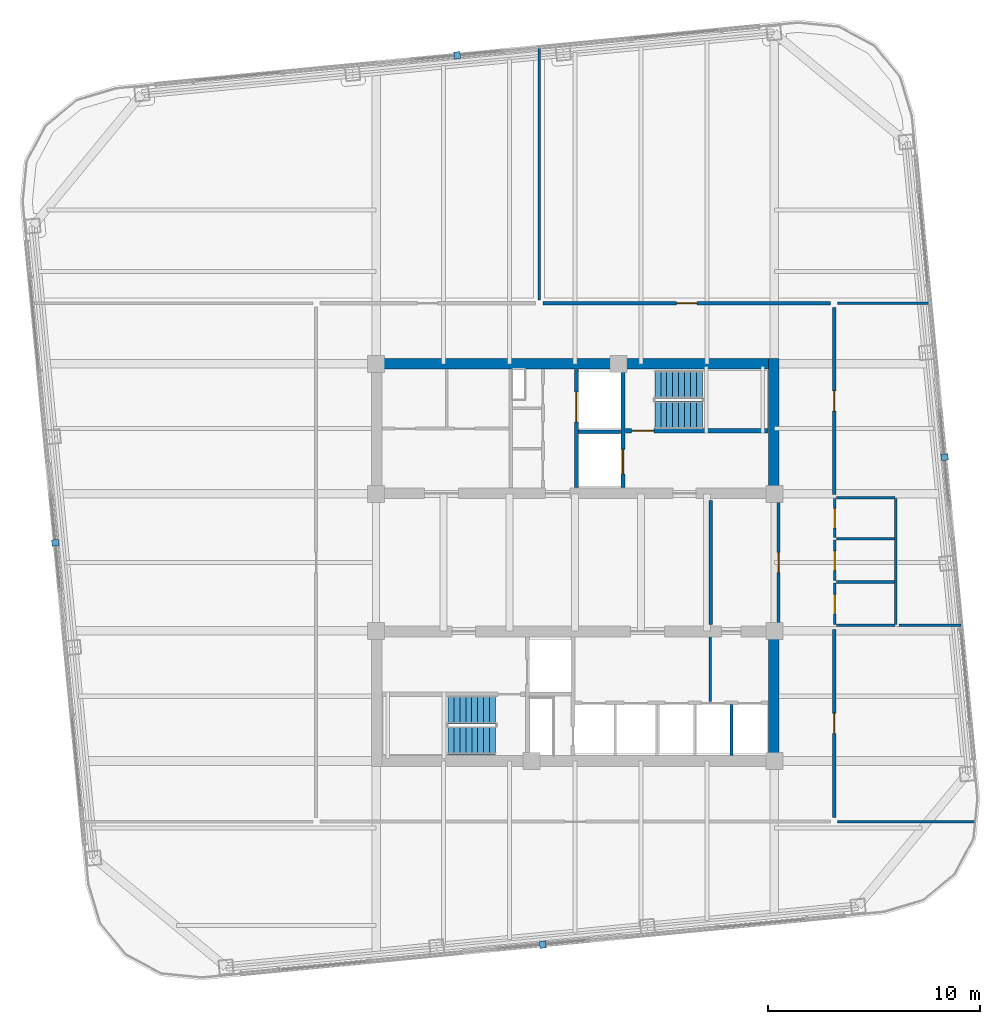
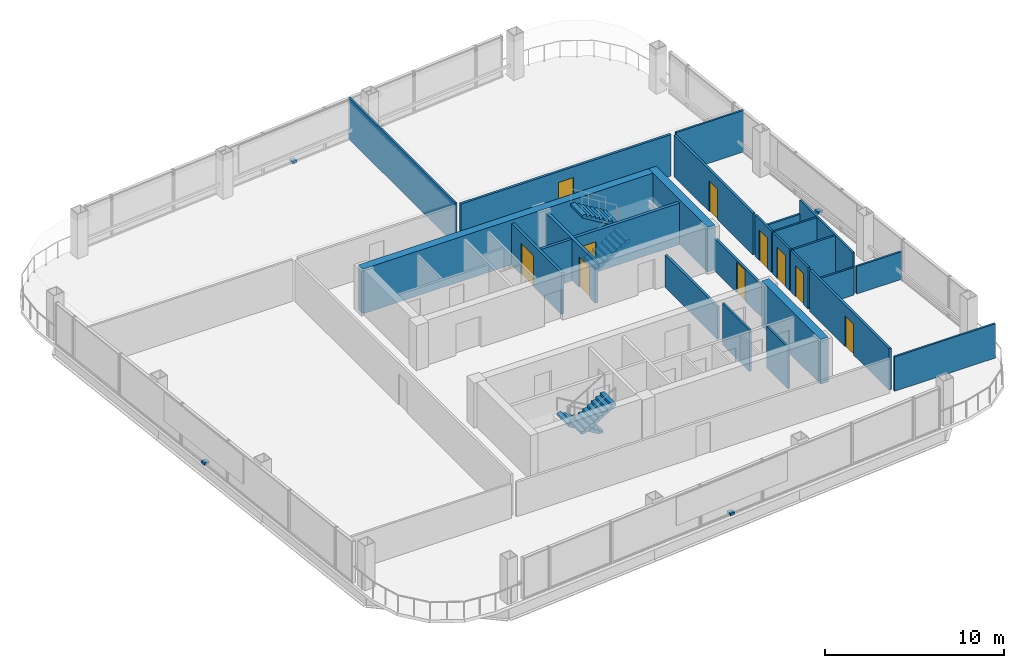
# One storey, part 25 of 28: 26 walls, 10 doors, 4 discrete accessories, 4 stair flights, 10 openings, 2 elements without a shape of their own.
"""IFC4 building model written with IfcOpenShell, lengths in metres."""

from ifc_helpers import new_model, si_unit, direction, frame, frame_2d, origin, origin_2d, place, context, subcontext, project, spatial, polyline, rectangle, outline, extrude, material, layer, layer_set, type_object, element, fill, aggregate, save


model = new_model("IFC4")

# Units and contexts
model_context = context("Model", 3, precision=1e-05, world=origin(), true_north=direction((0.0, 1.0)))
body_context = subcontext(model_context, "Body", "Model", "MODEL_VIEW")
ifc_project = project(units=[si_unit("LENGTHUNIT", "METRE"), si_unit("AREAUNIT", "SQUARE_METRE"), si_unit("VOLUMEUNIT", "CUBIC_METRE"), si_unit("PLANEANGLEUNIT", "RADIAN"), si_unit("MASSUNIT", "GRAM", prefix="KILO")], contexts=[model_context])

# Site, building, storey
site_placement = place(None, origin())
site = spatial("IfcSite", under=ifc_project, at=site_placement, CompositionType="ELEMENT")
building_placement = place(site_placement, origin())
building = spatial("IfcBuilding", under=site, at=building_placement, Name="Qhalaya Broadcast Tower", CompositionType="ELEMENT")
storey_placement = place(building_placement, frame((0.0, 0.0, 159.199951171875)))
storey = spatial("IfcBuildingStorey", under=building, at=storey_placement, Name="L46", CompositionType="ELEMENT", Elevation=159.199951171875)

# Wall
ifc_material_1 = material(Name="Gypsum Acoustic Partition")
ifc_layer_1 = layer(ifc_material_1, 0.14990234375, Name="Gypsum Acoustic Partition")
ifc_layer_set_1 = layer_set([ifc_layer_1], Name="Gypsum Acoustic Partition")
wall_type_1 = type_object("IfcWallType", Name="Corridor & Tenancy Acoustic Partition 150", PredefinedType="PARTITIONING", material=ifc_layer_set_1)
wall_1_placement = place(storey_placement, frame((6.3798828125, -2.320068359375, 0.0), z_axis=(0.0, 0.0, 1.0), x_axis=(0.0, 1.0, 0.0)))
element("IfcWall", 1, at=wall_1_placement, inside=storey, type_object=wall_type_1, Name="L46 Partition Wall W-ICHW", PredefinedType="PARTITIONING", context=body_context, shape_type="SweptSolid", body=[
    extrude(rectangle(XDim=5.840087890625, YDim=0.14990234375, at=frame_2d((2.919921875, 0.0))), origin(), (0.0, 0.0, 1.0), 2.197998046875),
])

# Wall, opening, door
wall_2_placement = place(storey_placement, frame((9.580078125, -2.320068359375, 0.0), z_axis=(0.0, 0.0, 1.0), x_axis=(0.0, 1.0, 0.0)))
wall_2 = element("IfcWall", 2, at=wall_2_placement, inside=storey, type_object=wall_type_1, Name="L46 Partition Wall W-ICHE", PredefinedType="PARTITIONING", context=body_context, shape_type="SweptSolid", body=[
    extrude(rectangle(XDim=5.840087890625, YDim=0.14990234375, at=frame_2d((2.919921875, 0.0))), origin(), (0.0, 0.0, 1.0), 2.197998046875),
])
opening_1_placement = place(wall_2_placement, frame((2.445068359375, 0.0, 0.0)))
opening_1 = element("IfcOpeningElement", 3, at=opening_1_placement, cuts=wall_2, Name="Opening D10", PredefinedType="OPENING", context=body_context, shape_type="SweptSolid", body=[
    extrude(rectangle(XDim=0.949951171875, YDim=2.10009765625, at=frame_2d((0.47509765625, 1.050048828125))), frame((0.0, 0.0869140625, 0.0), z_axis=(0.0, -1.0, 0.0), x_axis=(1.0, 0.0, 0.0)), (0.0, 0.0, 1.0), 0.173828125),
])
ifc_material_2 = material(Name="Timber Veneer Acoustic Door", Category="wood")
door_type_1 = type_object("IfcDoorType", Name="Cellular Office & Edit Booth Door D10", OperationType="NOTDEFINED", PredefinedType="DOOR", material=ifc_material_2)
door_1_placement = place(opening_1_placement, origin())
door_1 = element("IfcDoor", 4, at=door_1_placement, inside=storey, type_object=door_type_1, Name="L46 Door D-ICHE", OperationType="SINGLE_SWING_RIGHT", OverallHeight=2.10009765625, OverallWidth=0.949951171875, PredefinedType="DOOR", context=body_context, shape_type="SweptSolid", body=[
    extrude(rectangle(XDim=0.949951171875, YDim=2.10009765625, at=frame_2d((0.47509765625, 1.050048828125))), frame((0.0, 0.02490234375, 0.0), z_axis=(0.0, -1.0, 0.0), x_axis=(1.0, 0.0, 0.0)), (0.0, 0.0, 1.0), 0.050048828125),
])
fill(opening_1, door_1)

wall_3_placement = place(storey_placement, frame((-1.52001953125, 12.800048828125, 0.0), z_axis=(0.0, 0.0, 1.0), x_axis=(1.0, 0.0, 0.0)))
wall_3 = element("IfcWall", 5, at=wall_3_placement, inside=storey, type_object=wall_type_1, Name="L46 Partition Wall W-COR-02", PredefinedType="PARTITIONING", context=body_context, shape_type="SweptSolid", body=[
    extrude(rectangle(XDim=13.5400390625, YDim=0.14990234375, at=frame_2d((6.77001953125, 0.0))), origin(), (0.0, 0.0, 1.0), 2.830078125),
])
opening_2_placement = place(wall_3_placement, frame((6.294921875, 0.0, 0.0)))
opening_2 = element("IfcOpeningElement", 6, at=opening_2_placement, cuts=wall_3, Name="Opening D10", PredefinedType="OPENING", context=body_context, shape_type="SweptSolid", body=[
    extrude(rectangle(XDim=0.949951171875, YDim=2.10009765625, at=frame_2d((0.47509765625, 1.050048828125))), frame((0.0, 0.0869140625, 0.0), z_axis=(0.0, -1.0, 0.0), x_axis=(1.0, 0.0, 0.0)), (0.0, 0.0, 1.0), 0.173828125),
])
door_2_placement = place(opening_2_placement, origin())
door_2 = element("IfcDoor", 7, at=door_2_placement, inside=storey, type_object=door_type_1, Name="L46 Door D-RM02", OperationType="SINGLE_SWING_LEFT", OverallHeight=2.10009765625, OverallWidth=0.949951171875, PredefinedType="DOOR", context=body_context, shape_type="SweptSolid", body=[
    extrude(rectangle(XDim=0.949951171875, YDim=2.10009765625, at=frame_2d((0.47509765625, 1.050048828125))), frame((0.0, 0.02490234375, 0.0), z_axis=(0.0, -1.0, 0.0), x_axis=(1.0, 0.0, 0.0)), (0.0, 0.0, 1.0), 0.050048828125),
])
fill(opening_2, door_2)

wall_4_placement = place(storey_placement, frame((12.199951171875, -11.39990234375, 0.0), z_axis=(0.0, 0.0, 1.0), x_axis=(0.0, 1.0, 0.0)))
wall_4 = element("IfcWall", 8, at=wall_4_placement, inside=storey, type_object=wall_type_1, Name="L46 Partition Wall W-COR-05", PredefinedType="PARTITIONING", context=body_context, shape_type="SweptSolid", body=[
    extrude(rectangle(XDim=8.83984375, YDim=0.14990234375, at=frame_2d((4.419921875, 0.0))), origin(), (0.0, 0.0, 1.0), 2.830078125),
])
opening_3_placement = place(wall_4_placement, frame((3.945068359375, 0.0, 0.0)))
opening_3 = element("IfcOpeningElement", 9, at=opening_3_placement, cuts=wall_4, Name="Opening D10", PredefinedType="OPENING", context=body_context, shape_type="SweptSolid", body=[
    extrude(rectangle(XDim=0.949951171875, YDim=2.10009765625, at=frame_2d((0.47509765625, 1.050048828125))), frame((0.0, 0.0869140625, 0.0), z_axis=(0.0, -1.0, 0.0), x_axis=(1.0, 0.0, 0.0)), (0.0, 0.0, 1.0), 0.173828125),
])
door_3_placement = place(opening_3_placement, origin())
door_3 = element("IfcDoor", 10, at=door_3_placement, inside=storey, type_object=door_type_1, Name="L46 Door D-RM05", OperationType="SINGLE_SWING_RIGHT", OverallHeight=2.10009765625, OverallWidth=0.949951171875, PredefinedType="DOOR", context=body_context, shape_type="SweptSolid", body=[
    extrude(rectangle(XDim=0.949951171875, YDim=2.10009765625, at=frame_2d((0.47509765625, 1.050048828125))), frame((0.0, 0.02490234375, 0.0), z_axis=(0.0, -1.0, 0.0), x_axis=(1.0, 0.0, 0.0)), (0.0, 0.0, 1.0), 0.050048828125),
])
fill(opening_3, door_3)

wall_5_placement = place(storey_placement, frame((12.199951171875, 3.800048828125, 0.0), z_axis=(0.0, 0.0, 1.0), x_axis=(0.0, 1.0, 0.0)))
wall_5 = element("IfcWall", 11, at=wall_5_placement, inside=storey, type_object=wall_type_1, Name="L46 Partition Wall W-COR-06", PredefinedType="PARTITIONING", context=body_context, shape_type="SweptSolid", body=[
    extrude(rectangle(XDim=8.800048828125, YDim=0.14990234375, at=frame_2d((4.39990234375, 0.0))), origin(), (0.0, 0.0, 1.0), 2.830078125),
])
opening_4_placement = place(wall_5_placement, frame((3.925048828125, 0.0, 0.0)))
opening_4 = element("IfcOpeningElement", 12, at=opening_4_placement, cuts=wall_5, Name="Opening D10", PredefinedType="OPENING", context=body_context, shape_type="SweptSolid", body=[
    extrude(rectangle(XDim=0.949951171875, YDim=2.10009765625, at=frame_2d((0.47509765625, 1.050048828125))), frame((0.0, 0.0869140625, 0.0), z_axis=(0.0, -1.0, 0.0), x_axis=(1.0, 0.0, 0.0)), (0.0, 0.0, 1.0), 0.173828125),
])
door_4_placement = place(opening_4_placement, origin())
door_4 = element("IfcDoor", 13, at=door_4_placement, inside=storey, type_object=door_type_1, Name="L46 Door D-RM06", OperationType="SINGLE_SWING_LEFT", OverallHeight=2.10009765625, OverallWidth=0.949951171875, PredefinedType="DOOR", context=body_context, shape_type="SweptSolid", body=[
    extrude(rectangle(XDim=0.949951171875, YDim=2.10009765625, at=frame_2d((0.47509765625, 1.050048828125))), frame((0.0, 0.02490234375, 0.0), z_axis=(0.0, -1.0, 0.0), x_axis=(1.0, 0.0, 0.0)), (0.0, 0.0, 1.0), 0.050048828125),
])
fill(opening_4, door_4)

ifc_material_3 = material(Name="Concrete C50/60", Category="concrete")
ifc_layer_2 = layer(ifc_material_3, 0.199951171875, Name="Concrete C50/60")
ifc_layer_set_2 = layer_set([ifc_layer_2], Name="Concrete C50/60")
wall_type_2 = type_object("IfcWallType", Name="Load-Bearing Stair Shaft Wall 200", PredefinedType="SHEAR", material=ifc_layer_set_2)
wall_6_placement = place(storey_placement, frame((2.360107421875, 6.804931640625, 0.0), z_axis=(0.0, 0.0, 1.0), x_axis=(1.0, 0.0, 0.0)))
wall_6 = element("IfcWall", 14, at=wall_6_placement, inside=storey, type_object=wall_type_2, Name="L46 Stair Core Shear Wall NCW-ST1", PredefinedType="SHEAR", context=body_context, shape_type="SweptSolid", body=[
    extrude(rectangle(XDim=6.719970703125, YDim=0.199951171875, at=frame_2d((3.35986328125, 0.0))), origin(), (0.0, 0.0, 1.0), 2.830078125),
])
opening_5_placement = place(wall_6_placement, frame((0.300048828125, 0.0, 0.0)))
opening_5 = element("IfcOpeningElement", 15, at=opening_5_placement, cuts=wall_6, Name="Opening D03", PredefinedType="OPENING", context=body_context, shape_type="SweptSolid", body=[
    extrude(rectangle(XDim=1.050048828125, YDim=2.080078125, at=frame_2d((0.52490234375, 1.0400390625))), frame((0.0, 0.112060546875, 0.0), z_axis=(0.0, -1.0, 0.0), x_axis=(1.0, 0.0, 0.0)), (0.0, 0.0, 1.0), 0.223876953125),
])
ifc_material_4 = material(Name="Fire-Rated Steel Door", Category="steel")
door_type_2 = type_object("IfcDoorType", Name="Core Stair Protected Fire Door D03", OperationType="NOTDEFINED", PredefinedType="DOOR", material=ifc_material_4)
door_5_placement = place(opening_5_placement, origin())
door_5 = element("IfcDoor", 16, at=door_5_placement, inside=storey, type_object=door_type_2, Name="L46 Door D-NST1", OperationType="SINGLE_SWING_LEFT", OverallHeight=2.080078125, OverallWidth=1.050048828125, PredefinedType="DOOR", context=body_context, shape_type="SweptSolid", body=[
    extrude(rectangle(XDim=1.050048828125, YDim=2.080078125, at=frame_2d((0.52490234375, 1.0400390625))), frame((0.0, 0.02490234375, 0.0), z_axis=(0.0, -1.0, 0.0), x_axis=(1.0, 0.0, 0.0)), (0.0, 0.0, 1.0), 0.050048828125),
])
fill(opening_5, door_5)

wall_7_placement = place(storey_placement, frame((2.25, 4.1201171875, 0.0), z_axis=(0.0, 0.0, 1.0), x_axis=(0.0, 1.0, 0.0)))
wall_7 = element("IfcWall", 17, at=wall_7_placement, inside=storey, type_object=wall_type_2, Name="L46 Stair Core Shear Wall NCW-FF", PredefinedType="SHEAR", context=body_context, shape_type="SweptSolid", body=[
    extrude(rectangle(XDim=5.559814453125, YDim=0.199951171875, at=frame_2d((2.77978515625, 0.0))), origin(), (0.0, 0.0, 1.0), 2.830078125),
])
opening_6_placement = place(wall_7_placement, frame((0.64990234375, 0.0, 0.0)))
opening_6 = element("IfcOpeningElement", 18, at=opening_6_placement, cuts=wall_7, Name="Opening LD2", PredefinedType="OPENING", context=body_context, shape_type="SweptSolid", body=[
    extrude(rectangle(XDim=1.14990234375, YDim=2.080078125, at=frame_2d((0.574951171875, 1.0400390625))), frame((0.0, 0.112060546875, 0.0), z_axis=(0.0, -1.0, 0.0), x_axis=(1.0, 0.0, 0.0)), (0.0, 0.0, 1.0), 0.223876953125),
])
ifc_material_5 = material(Name="Brushed Stainless Steel Lift Door", Category="steel")
door_type_3 = type_object("IfcDoorType", Name="Firefighting Lift Sliding Landing Door LD2", OperationType="DOUBLE_DOOR_SLIDING", PredefinedType="DOOR", material=ifc_material_5)
door_6_placement = place(opening_6_placement, origin())
door_6 = element("IfcDoor", 19, at=door_6_placement, inside=storey, type_object=door_type_3, Name="L46 Door LD-FF1", OperationType="DOUBLE_DOOR_SLIDING", OverallHeight=2.080078125, OverallWidth=1.14990234375, PredefinedType="DOOR", context=body_context, shape_type="SweptSolid", body=[
    extrude(rectangle(XDim=1.14990234375, YDim=2.080078125, at=frame_2d((0.574951171875, 1.0400390625))), frame((0.0, 0.02490234375, 0.0), z_axis=(0.0, -1.0, 0.0), x_axis=(1.0, 0.0, 0.0)), (0.0, 0.0, 1.0), 0.050048828125),
])
fill(opening_6, door_6)

# Walls
ifc_layer_3 = layer(ifc_material_3, 0.5, Name="Concrete C50/60")
ifc_layer_set_3 = layer_set([ifc_layer_3], Name="Concrete C50/60")
wall_type_3 = type_object("IfcWallType", Name="Mid Split-Core Shear Wall 500", PredefinedType="SHEAR", material=ifc_layer_set_3)
wall_8_placement = place(storey_placement, frame((-9.60009765625, 9.949951171875, 0.0), z_axis=(0.0, 0.0, 1.0), x_axis=(1.0, 0.0, 0.0)))
element("IfcWall", 20, at=wall_8_placement, inside=storey, type_object=wall_type_3, Name="L46 Split-Core Shear Wall CW-NN", PredefinedType="SHEAR", context=body_context, shape_type="SweptSolid", body=[
    extrude(rectangle(XDim=19.2001953125, YDim=0.5, at=frame_2d((9.60009765625, 0.0))), origin(), (0.0, 0.0, 1.0), 3.050048828125),
])
wall_9_placement = place(storey_placement, frame((9.35009765625, 3.60009765625, 0.0), z_axis=(0.0, 0.0, 1.0), x_axis=(0.0, 1.0, 0.0)))
element("IfcWall", 21, at=wall_9_placement, inside=storey, type_object=wall_type_3, Name="L46 Split-Core Shear Wall CW-NE", PredefinedType="SHEAR", context=body_context, shape_type="SweptSolid", body=[
    extrude(rectangle(XDim=6.599853515625, YDim=0.5, at=frame_2d((3.2998046875, 0.0))), origin(), (0.0, 0.0, 1.0), 3.050048828125),
])
wall_10_placement = place(storey_placement, frame((9.35009765625, -9.0, 0.0), z_axis=(0.0, 0.0, 1.0), x_axis=(0.0, 1.0, 0.0)))
element("IfcWall", 22, at=wall_10_placement, inside=storey, type_object=wall_type_3, Name="L46 Split-Core Shear Wall CW-SE", PredefinedType="SHEAR", context=body_context, shape_type="SweptSolid", body=[
    extrude(rectangle(XDim=6.60009765625, YDim=0.5, at=frame_2d((3.300048828125, 0.0))), origin(), (0.0, 0.0, 1.0), 3.050048828125),
])
ifc_layer_4 = layer(ifc_material_1, 0.1201171875, Name="Gypsum Acoustic Partition")
ifc_layer_set_4 = layer_set([ifc_layer_4], Name="Gypsum Acoustic Partition")
wall_type_4 = type_object("IfcWallType", Name="Office, Booth & Sanitary Partition 120", PredefinedType="PARTITIONING", material=ifc_layer_set_4)
wall_11_placement = place(storey_placement, frame((7.360107421875, -8.47998046875, 0.0), z_axis=(0.0, 0.0, 1.0), x_axis=(0.0, 1.0, 0.0)))
element("IfcWall", 23, at=wall_11_placement, inside=storey, type_object=wall_type_4, Name="L46 Partition Wall SCW-HD7", PredefinedType="PARTITIONING", context=body_context, shape_type="SweptSolid", body=[
    extrude(rectangle(XDim=2.3798828125, YDim=0.1201171875, at=frame_2d((1.18994140625, 0.0))), origin(), (0.0, 0.0, 1.0), 2.830078125),
])
wall_12_placement = place(storey_placement, frame((6.35009765625, -5.93994140625, 0.0), z_axis=(0.0, 0.0, 1.0), x_axis=(0.0, 1.0, 0.0)))
element("IfcWall", 24, at=wall_12_placement, inside=storey, type_object=wall_type_4, Name="L46 Partition Wall SCW-LKB", PredefinedType="PARTITIONING", context=body_context, shape_type="SweptSolid", body=[
    extrude(rectangle(XDim=3.02001953125, YDim=0.1201171875, at=frame_2d((1.510009765625, 0.0))), origin(), (0.0, 0.0, 1.0), 2.830078125),
])

# Wall, opening, door
wall_13_placement = place(storey_placement, frame((12.219970703125, -2.320068359375, 0.0), z_axis=(0.0, 0.0, 1.0), x_axis=(0.0, 1.0, 0.0)))
wall_13 = element("IfcWall", 25, at=wall_13_placement, inside=storey, type_object=wall_type_4, Name="L46 Partition Wall W-WCWA", PredefinedType="PARTITIONING", context=body_context, shape_type="SweptSolid", body=[
    extrude(rectangle(XDim=1.940185546875, YDim=0.1201171875, at=frame_2d((0.97021484375, 0.0))), origin(), (0.0, 0.0, 1.0), 2.830078125),
])
opening_7_placement = place(wall_13_placement, frame((0.4951171875, 0.0, 0.0)))
opening_7 = element("IfcOpeningElement", 26, at=opening_7_placement, cuts=wall_13, Name="Opening D12", PredefinedType="OPENING", context=body_context, shape_type="SweptSolid", body=[
    extrude(rectangle(XDim=0.919921875, YDim=2.10009765625, at=frame_2d((0.4599609375, 1.050048828125))), frame((0.0, 0.072021484375, 0.0), z_axis=(0.0, -1.0, 0.0), x_axis=(1.0, 0.0, 0.0)), (0.0, 0.0, 1.0), 0.14404296875),
])
door_type_4 = type_object("IfcDoorType", Name="Accessible WC & Restroom Door D12", OperationType="NOTDEFINED", PredefinedType="DOOR", material=ifc_material_2)
door_7_placement = place(opening_7_placement, origin())
door_7 = element("IfcDoor", 27, at=door_7_placement, inside=storey, type_object=door_type_4, Name="L46 Door D-WCA", OperationType="SINGLE_SWING_LEFT", OverallHeight=2.10009765625, OverallWidth=0.919921875, PredefinedType="DOOR", context=body_context, shape_type="SweptSolid", body=[
    extrude(rectangle(XDim=0.919921875, YDim=2.10009765625, at=frame_2d((0.4599609375, 1.050048828125))), frame((0.0, 0.02490234375, 0.0), z_axis=(0.0, -1.0, 0.0), x_axis=(1.0, 0.0, 0.0)), (0.0, 0.0, 1.0), 0.050048828125),
])
fill(opening_7, door_7)

wall_14_placement = place(storey_placement, frame((12.219970703125, -0.25, 0.0), z_axis=(0.0, 0.0, 1.0), x_axis=(0.0, 1.0, 0.0)))
wall_14 = element("IfcWall", 28, at=wall_14_placement, inside=storey, type_object=wall_type_4, Name="L46 Partition Wall W-WCWM", PredefinedType="PARTITIONING", context=body_context, shape_type="SweptSolid", body=[
    extrude(rectangle(XDim=1.89990234375, YDim=0.1201171875, at=frame_2d((0.949951171875, 0.0))), origin(), (0.0, 0.0, 1.0), 2.830078125),
])
opening_8_placement = place(wall_14_placement, frame((0.47509765625, 0.0, 0.0)))
opening_8 = element("IfcOpeningElement", 29, at=opening_8_placement, cuts=wall_14, Name="Opening D12", PredefinedType="OPENING", context=body_context, shape_type="SweptSolid", body=[
    extrude(rectangle(XDim=0.919921875, YDim=2.10009765625, at=frame_2d((0.4599609375, 1.050048828125))), frame((0.0, 0.072021484375, 0.0), z_axis=(0.0, -1.0, 0.0), x_axis=(1.0, 0.0, 0.0)), (0.0, 0.0, 1.0), 0.14404296875),
])
door_8_placement = place(opening_8_placement, origin())
door_8 = element("IfcDoor", 30, at=door_8_placement, inside=storey, type_object=door_type_4, Name="L46 Door D-WCM", OperationType="SINGLE_SWING_RIGHT", OverallHeight=2.10009765625, OverallWidth=0.919921875, PredefinedType="DOOR", context=body_context, shape_type="SweptSolid", body=[
    extrude(rectangle(XDim=0.919921875, YDim=2.10009765625, at=frame_2d((0.4599609375, 1.050048828125))), frame((0.0, 0.02490234375, 0.0), z_axis=(0.0, -1.0, 0.0), x_axis=(1.0, 0.0, 0.0)), (0.0, 0.0, 1.0), 0.050048828125),
])
fill(opening_8, door_8)

wall_15_placement = place(storey_placement, frame((12.219970703125, 1.780029296875, 0.0), z_axis=(0.0, 0.0, 1.0), x_axis=(0.0, 1.0, 0.0)))
wall_15 = element("IfcWall", 31, at=wall_15_placement, inside=storey, type_object=wall_type_4, Name="L46 Partition Wall W-WCWF", PredefinedType="PARTITIONING", context=body_context, shape_type="SweptSolid", body=[
    extrude(rectangle(XDim=1.830078125, YDim=0.1201171875, at=frame_2d((0.9150390625, 0.0))), origin(), (0.0, 0.0, 1.0), 2.830078125),
])
opening_9_placement = place(wall_15_placement, frame((0.43994140625, 0.0, 0.0)))
opening_9 = element("IfcOpeningElement", 32, at=opening_9_placement, cuts=wall_15, Name="Opening D12", PredefinedType="OPENING", context=body_context, shape_type="SweptSolid", body=[
    extrude(rectangle(XDim=0.919921875, YDim=2.10009765625, at=frame_2d((0.4599609375, 1.050048828125))), frame((0.0, 0.072021484375, 0.0), z_axis=(0.0, -1.0, 0.0), x_axis=(1.0, 0.0, 0.0)), (0.0, 0.0, 1.0), 0.14404296875),
])
door_9_placement = place(opening_9_placement, origin())
door_9 = element("IfcDoor", 33, at=door_9_placement, inside=storey, type_object=door_type_4, Name="L46 Door D-WCF", OperationType="SINGLE_SWING_LEFT", OverallHeight=2.10009765625, OverallWidth=0.919921875, PredefinedType="DOOR", context=body_context, shape_type="SweptSolid", body=[
    extrude(rectangle(XDim=0.919921875, YDim=2.10009765625, at=frame_2d((0.4599609375, 1.050048828125))), frame((0.0, 0.02490234375, 0.0), z_axis=(0.0, -1.0, 0.0), x_axis=(1.0, 0.0, 0.0)), (0.0, 0.0, 1.0), 0.050048828125),
])
fill(opening_9, door_9)

# Walls
wall_16_placement = place(storey_placement, frame((15.10009765625, -2.320068359375, 0.0), z_axis=(0.0, 0.0, 1.0), x_axis=(0.0, 1.0, 0.0)))
element("IfcWall", 34, at=wall_16_placement, inside=storey, type_object=wall_type_4, Name="L46 Partition Wall W-WCE", PredefinedType="PARTITIONING", context=body_context, shape_type="SweptSolid", body=[
    extrude(rectangle(XDim=5.93017578125, YDim=0.1201171875, at=frame_2d((2.965087890625, 0.0))), origin(), (0.0, 0.0, 1.0), 2.830078125),
])
for number, where, z_axis, x_axis, name in (
    (35, (12.31005859375, -2.35009765625, 0.0), (0.0, 0.0, 1.0), (1.0, 0.0, 0.0), "L46 Partition Wall W-WCS"),
    (36, (12.31005859375, 3.639892578125, 0.0), (0.0, 0.0, 1.0), (1.0, 0.0, 0.0), "L46 Partition Wall W-WCN"),
):
    element("IfcWall", number, at=place(storey_placement, frame(where, z_axis=z_axis, x_axis=x_axis)), inside=storey, type_object=wall_type_4, Name=name, PredefinedType="PARTITIONING", context=body_context, shape_type="SweptSolid", body=[
        extrude(rectangle(XDim=2.760009765625, YDim=0.1201171875, at=frame_2d((1.3798828125, 0.0))), origin(), (0.0, 0.0, 1.0), 1.883056640625),
    ])
for number, where, z_axis, x_axis, name in (
    (37, (12.31005859375, -0.320068359375, 0.0), (0.0, 0.0, 1.0), (1.0, 0.0, 0.0), "L46 Partition Wall W-WCD1"),
    (38, (12.31005859375, 1.719970703125, 0.0), (0.0, 0.0, 1.0), (1.0, 0.0, 0.0), "L46 Partition Wall W-WCD2"),
):
    element("IfcWall", number, at=place(storey_placement, frame(where, z_axis=z_axis, x_axis=x_axis)), inside=storey, type_object=wall_type_4, Name=name, PredefinedType="PARTITIONING", context=body_context, shape_type="SweptSolid", body=[
        extrude(rectangle(XDim=2.719970703125, YDim=0.1201171875, at=frame_2d((1.35986328125, 0.0))), origin(), (0.0, 0.0, 1.0), 2.830078125),
    ])
wall_17_placement = place(storey_placement, frame((12.340087890625, 12.800048828125, 0.0), z_axis=(0.0, 0.0, 1.0), x_axis=(1.0, 0.0, 0.0)))
element("IfcWall", 39, at=wall_17_placement, inside=storey, type_object=wall_type_4, Name="L46 Partition Wall W-BNDE1", PredefinedType="PARTITIONING", context=body_context, shape_type="SweptSolid", body=[
    extrude(rectangle(XDim=4.35546875, YDim=0.1201171875, at=frame_2d((2.177734375, 0.0))), origin(), (0.0, 0.0, 1.0), 2.830078125),
])
wall_18_placement = place(storey_placement, frame((12.340087890625, -11.60009765625, 0.0), z_axis=(0.0, 0.0, 1.0), x_axis=(1.0, 0.0, 0.0)))
element("IfcWall", 40, at=wall_18_placement, inside=storey, type_object=wall_type_4, Name="L46 Partition Wall W-BNDE2", PredefinedType="PARTITIONING", context=body_context, shape_type="SweptSolid", body=[
    extrude(rectangle(XDim=6.489990234375, YDim=0.1201171875, at=frame_2d((3.2451171875, 0.0))), origin(), (0.0, 0.0, 1.0), 2.34716796875),
])
wall_19_placement = place(storey_placement, frame((-1.699951171875, 12.9599609375, 0.0), z_axis=(0.0, 0.0, 1.0), x_axis=(0.0, 1.0, 0.0)))
element("IfcWall", 41, at=wall_19_placement, inside=storey, type_object=wall_type_4, Name="L46 Partition Wall W-DIVN1", PredefinedType="PARTITIONING", context=body_context, shape_type="SweptSolid", body=[
    extrude(rectangle(XDim=11.884521484375, YDim=0.1201171875, at=frame_2d((5.9423828125, 0.0))), origin(), (0.0, 0.0, 1.0), 2.830078125),
])
wall_20_placement = place(storey_placement, frame((15.239990234375, -2.35009765625, 0.0), z_axis=(0.0, 0.0, 1.0), x_axis=(1.0, 0.0, 0.0)))
element("IfcWall", 42, at=wall_20_placement, inside=storey, type_object=wall_type_4, Name="L46 Partition Wall W-DIVE-WC", PredefinedType="PARTITIONING", context=body_context, shape_type="SweptSolid", body=[
    extrude(rectangle(XDim=2.914306640625, YDim=0.1201171875, at=frame_2d((1.45703125, 0.0))), origin(), (0.0, 0.0, 1.0), 1.883056640625),
])

# Wall, opening, door
ifc_layer_5 = layer(ifc_material_1, 0.175048828125, Name="Gypsum Acoustic Partition")
ifc_layer_set_5 = layer_set([ifc_layer_5], Name="Gypsum Acoustic Partition")
wall_type_5 = type_object("IfcWallType", Name="Shaft & Riser Fire Partition 175", PredefinedType="PARTITIONING", material=ifc_layer_set_5)
wall_21_placement = place(storey_placement, frame((0.06005859375, 4.1201171875, 0.0), z_axis=(0.0, 0.0, 1.0), x_axis=(0.0, 1.0, 0.0)))
wall_21 = element("IfcWall", 43, at=wall_21_placement, inside=storey, type_object=wall_type_5, Name="L46 Partition Wall NCW-SVW", PredefinedType="PARTITIONING", context=body_context, shape_type="SweptSolid", body=[
    extrude(rectangle(XDim=5.559814453125, YDim=0.175048828125, at=frame_2d((2.77978515625, 0.0))), origin(), (0.0, 0.0, 1.0), 2.830078125),
])
opening_10_placement = place(wall_21_placement, frame((3.10009765625, 0.0, 0.0)))
opening_10 = element("IfcOpeningElement", 44, at=opening_10_placement, cuts=wall_21, Name="Opening LD3", PredefinedType="OPENING", context=body_context, shape_type="SweptSolid", body=[
    extrude(rectangle(XDim=1.39990234375, YDim=2.1201171875, at=frame_2d((0.699951171875, 1.06005859375))), frame((0.0, 0.099609375, 0.0), z_axis=(0.0, -1.0, 0.0), x_axis=(1.0, 0.0, 0.0)), (0.0, 0.0, 1.0), 0.198974609375),
])
door_type_5 = type_object("IfcDoorType", Name="Service Lift Wide Sliding Landing Door LD3", OperationType="DOUBLE_DOOR_SLIDING", PredefinedType="DOOR", material=ifc_material_5)
door_10_placement = place(opening_10_placement, origin())
door_10 = element("IfcDoor", 45, at=door_10_placement, inside=storey, type_object=door_type_5, Name="L46 Door LD-SV1", OperationType="DOUBLE_DOOR_SLIDING", OverallHeight=2.1201171875, OverallWidth=1.39990234375, PredefinedType="DOOR", context=body_context, shape_type="SweptSolid", body=[
    extrude(rectangle(XDim=1.39990234375, YDim=2.1201171875, at=frame_2d((0.699951171875, 1.06005859375))), frame((0.0, 0.02490234375, 0.0), z_axis=(0.0, -1.0, 0.0), x_axis=(1.0, 0.0, 0.0)), (0.0, 0.0, 1.0), 0.050048828125),
])
fill(opening_10, door_10)

# Wall
wall_22_placement = place(storey_placement, frame((0.159912109375, 6.75, 0.0), z_axis=(0.0, 0.0, 1.0), x_axis=(1.0, 0.0, 0.0)))
element("IfcWall", 46, at=wall_22_placement, inside=storey, type_object=wall_type_5, Name="L46 Partition Wall NCW-SVM", PredefinedType="PARTITIONING", context=body_context, shape_type="SweptSolid", body=[
    extrude(rectangle(XDim=1.97998046875, YDim=0.175048828125, at=frame_2d((0.989990234375, 0.0))), origin(), (0.0, 0.0, 1.0), 2.830078125),
])

# Stair, stair flights
ifc_material_6 = material(Name="Concrete C40/50", Category="concrete")
stair_type = type_object("IfcStairType", Name="Protected Dogleg Core Stair 3150", PredefinedType="TWO_STRAIGHT_RUN_STAIR", material=ifc_material_6)
stair_1_placement = place(storey_placement, origin())
stair_1 = element("IfcStair", 47, at=stair_1_placement, inside=storey, type_object=stair_type, Name="L46 North Core Exit Stair ST-1", PredefinedType="TWO_STRAIGHT_RUN_STAIR")
ifc_material_7 = material(Name="Precast Concrete C40/50", Category="concrete")
stair_flight_type = type_object("IfcStairFlightType", Name="Precast Concrete Stair Flight 3150", PredefinedType="STRAIGHT", material=ifc_material_7)
stair_flight_1_placement = place(storey_placement, frame((3.75, 7.5400390625, 0.0), z_axis=(0.0, 0.0, 1.0), x_axis=(1.0, 0.0, 0.0)))
stair_flight_1 = element("IfcStairFlight", 48, at=stair_flight_1_placement, type_object=stair_flight_type, Name="ST-1 flight 1", NumberOfRisers=9, NumberOfTreads=8, PredefinedType="STRAIGHT", RiserHeight=0.169444444, TreadLength=0.28, context=body_context, shape_type="SweptSolid", body=[
    extrude(outline(polyline([(0.0, 0.0), (0.0, 0.16943359375), (0.280029296875, 0.16943359375), (0.280029296875, 0.3388671875), (0.56005859375, 0.3388671875), (0.56005859375, 0.50830078125), (0.840087890625, 0.50830078125), (0.840087890625, 0.677734375), (1.1201171875, 0.677734375), (1.1201171875, 0.84716796875), (1.39990234375, 0.84716796875), (1.39990234375, 1.0166015625), (1.679931640625, 1.0166015625), (1.679931640625, 1.18603515625), (1.9599609375, 1.18603515625), (1.9599609375, 1.35546875), (2.239990234375, 1.35546875), (2.239990234375, 1.52490234375), (2.239990234375, 1.180419921875), (0.28955078125, 0.0), (0.0, 0.0)])), frame((0.0, 0.66015625, 0.0), z_axis=(0.0, -1.0, 0.0), x_axis=(1.0, 0.0, 0.0)), (0.0, 0.0, 1.0), 1.320068359375),
])
stair_flight_2_placement = place(storey_placement, frame((5.989990234375, 8.97998046875, 1.525146484375), z_axis=(0.0, 0.0, 1.0), x_axis=(-1.0, 0.0, 0.0)))
stair_flight_2 = element("IfcStairFlight", 49, at=stair_flight_2_placement, type_object=stair_flight_type, Name="ST-1 flight 2", NumberOfRisers=9, NumberOfTreads=8, PredefinedType="STRAIGHT", RiserHeight=0.169444444, TreadLength=0.28, context=body_context, shape_type="SweptSolid", body=[
    extrude(outline(polyline([(0.0, 0.0), (0.0, 0.16943359375), (0.280029296875, 0.16943359375), (0.280029296875, 0.3388671875), (0.56005859375, 0.3388671875), (0.56005859375, 0.50830078125), (0.840087890625, 0.50830078125), (0.840087890625, 0.677734375), (1.1201171875, 0.677734375), (1.1201171875, 0.84716796875), (1.39990234375, 0.84716796875), (1.39990234375, 1.0166015625), (1.679931640625, 1.0166015625), (1.679931640625, 1.18603515625), (1.9599609375, 1.18603515625), (1.9599609375, 1.35546875), (2.239990234375, 1.35546875), (2.239990234375, 1.52490234375), (2.239990234375, 1.180419921875), (0.28955078125, 0.0), (0.0, 0.0)])), frame((0.0, 0.66015625, 0.0), z_axis=(0.0, -1.0, 0.0), x_axis=(1.0, 0.0, 0.0)), (0.0, 0.0, 1.0), 1.320068359375),
])
aggregate(stair_1, [stair_flight_1, stair_flight_2])

stair_2_placement = place(storey_placement, origin())
stair_2 = element("IfcStair", 50, at=stair_2_placement, inside=storey, type_object=stair_type, Name="L46 South Core Exit Stair ST-2", PredefinedType="TWO_STRAIGHT_RUN_STAIR")
stair_flight_3_placement = place(storey_placement, frame((-3.75, -6.340087890625, 0.0), z_axis=(0.0, 0.0, 1.0), x_axis=(-1.0, 0.0, 0.0)))
stair_flight_3 = element("IfcStairFlight", 51, at=stair_flight_3_placement, type_object=stair_flight_type, Name="ST-2 flight 1", NumberOfRisers=9, NumberOfTreads=8, PredefinedType="STRAIGHT", RiserHeight=0.169444444, TreadLength=0.28, context=body_context, shape_type="SweptSolid", body=[
    extrude(outline(polyline([(0.0, 0.0), (0.0, 0.16943359375), (0.280029296875, 0.16943359375), (0.280029296875, 0.3388671875), (0.56005859375, 0.3388671875), (0.56005859375, 0.50830078125), (0.840087890625, 0.50830078125), (0.840087890625, 0.677734375), (1.1201171875, 0.677734375), (1.1201171875, 0.84716796875), (1.39990234375, 0.84716796875), (1.39990234375, 1.0166015625), (1.679931640625, 1.0166015625), (1.679931640625, 1.18603515625), (1.9599609375, 1.18603515625), (1.9599609375, 1.35546875), (2.239990234375, 1.35546875), (2.239990234375, 1.52490234375), (2.239990234375, 1.180419921875), (0.28955078125, 0.0), (0.0, 0.0)])), frame((0.0, 0.66015625, 0.0), z_axis=(0.0, -1.0, 0.0), x_axis=(1.0, 0.0, 0.0)), (0.0, 0.0, 1.0), 1.320068359375),
])
stair_flight_4_placement = place(storey_placement, frame((-5.989990234375, -7.780029296875, 1.525146484375), z_axis=(0.0, 0.0, 1.0), x_axis=(1.0, 0.0, 0.0)))
stair_flight_4 = element("IfcStairFlight", 52, at=stair_flight_4_placement, type_object=stair_flight_type, Name="ST-2 flight 2", NumberOfRisers=9, NumberOfTreads=8, PredefinedType="STRAIGHT", RiserHeight=0.169444444, TreadLength=0.28, context=body_context, shape_type="SweptSolid", body=[
    extrude(outline(polyline([(0.0, 0.0), (0.0, 0.16943359375), (0.280029296875, 0.16943359375), (0.280029296875, 0.3388671875), (0.56005859375, 0.3388671875), (0.56005859375, 0.50830078125), (0.840087890625, 0.50830078125), (0.840087890625, 0.677734375), (1.1201171875, 0.677734375), (1.1201171875, 0.84716796875), (1.39990234375, 0.84716796875), (1.39990234375, 1.0166015625), (1.679931640625, 1.0166015625), (1.679931640625, 1.18603515625), (1.9599609375, 1.18603515625), (1.9599609375, 1.35546875), (2.239990234375, 1.35546875), (2.239990234375, 1.52490234375), (2.239990234375, 1.180419921875), (0.28955078125, 0.0), (0.0, 0.0)])), frame((0.0, 0.66015625, 0.0), z_axis=(0.0, -1.0, 0.0), x_axis=(1.0, 0.0, 0.0)), (0.0, 0.0, 1.0), 1.320068359375),
])
aggregate(stair_2, [stair_flight_3, stair_flight_4])

# Discrete accessories
ifc_material_8 = material(Name="Structural Steel ASTM A572 Grade 50", Category="steel")
discrete_accessory_type = type_object("IfcDiscreteAccessoryType", Name="Facade Baguette Support Bracket BRK-01", PredefinedType="BRACKET", material=ifc_material_8)
for number, where, z_axis, x_axis, name in (
    (53, (-1.5244140625, -17.393310546875, 0.0), (0.0, 0.0, 1.0), (0.995396198367, 0.09584575252, 0.0), "L46 Baguette Support Bracket S"),
    (54, (17.393310546875, 5.5556640625, 0.0), (0.0, 0.0, 1.0), (-0.09584575252, 0.995396198367, 0.0), "L46 Baguette Support Bracket E"),
    (55, (-5.5556640625, 24.47314453125, 0.0), (0.0, 0.0, 1.0), (-0.995396198367, -0.09584575252, 0.0), "L46 Baguette Support Bracket N"),
    (56, (-24.47314453125, 1.5244140625, 0.0), (0.0, 0.0, 1.0), (0.09584575252, -0.995396198367, 0.0), "L46 Baguette Support Bracket W"),
):
    element("IfcDiscreteAccessory", number, at=place(storey_placement, frame(where, z_axis=z_axis, x_axis=x_axis)), inside=storey, type_object=discrete_accessory_type, Name=name, PredefinedType="BRACKET", context=body_context, shape_type="SweptSolid", body=[
        extrude(rectangle(XDim=0.300048828125, YDim=0.340087890625, at=origin_2d()), origin(), (0.0, 0.0, 1.0), 0.159912109375),
    ])

save(model, "model.ifc")
